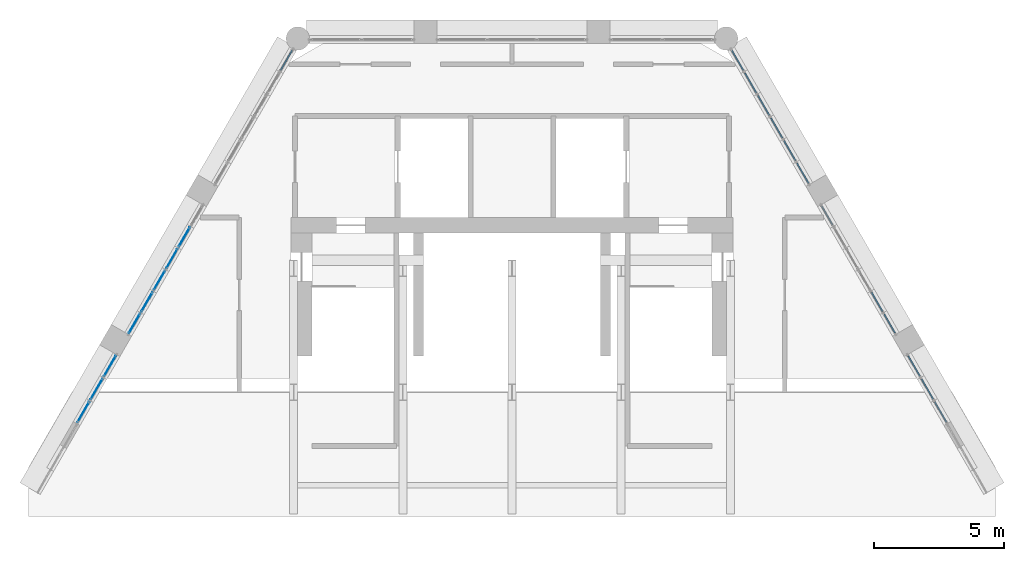
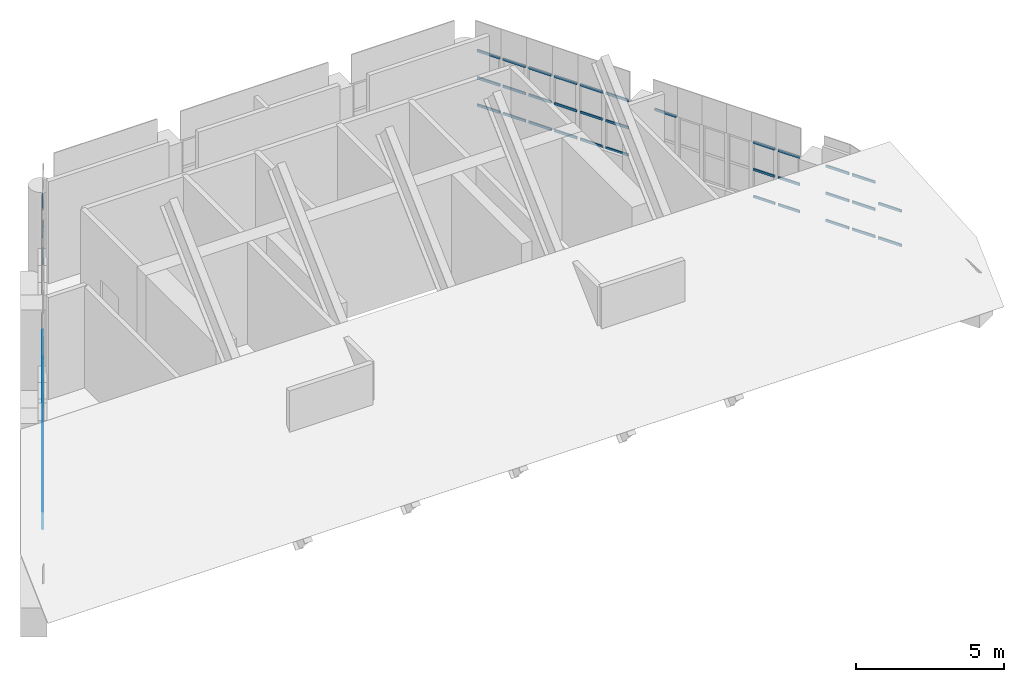
# One storey, part 12 of 16: 36 members, 15 plates, 21 elements without a shape of their own.
"""IFC4 building model written with IfcOpenShell, lengths in metres."""

from ifc_helpers import new_model, si_unit, direction, frame, origin, origin_2d, place, context, subcontext, project, spatial, rectangle, hollow_rectangle, extrude, material, layer, layer_set, material_profile, profile_set, type_object, element, aggregate, save


model = new_model("IFC4")

# Units and contexts
model_context = context("Model", 3, precision=1e-05, world=origin(), true_north=direction((0.0, 1.0)))
body_context = subcontext(model_context, "Body", "Model", "MODEL_VIEW")
ifc_project = project(units=[si_unit("LENGTHUNIT", "METRE"), si_unit("AREAUNIT", "SQUARE_METRE"), si_unit("VOLUMEUNIT", "CUBIC_METRE"), si_unit("PLANEANGLEUNIT", "RADIAN"), si_unit("MASSUNIT", "GRAM", prefix="KILO")], contexts=[model_context])

# Site, building, storey
site_placement = place(None, origin())
site = spatial("IfcSite", under=ifc_project, at=site_placement, CompositionType="ELEMENT")
building_placement = place(site_placement, origin())
building = spatial("IfcBuilding", under=site, at=building_placement, Name="Ostrander Bayou Hotel Tower", CompositionType="ELEMENT")
storey_placement = place(building_placement, frame((0.0, 0.0, 288.5)))
storey = spatial("IfcBuildingStorey", under=building, at=storey_placement, Name="L71", CompositionType="ELEMENT", Elevation=288.5)

# Curtain wall, members
ifc_material_1 = material(Name="Aluminium and clear glass", Category="aluminium")
curtain_wall_type = type_object("IfcCurtainWallType", Name="CW-CROWN glazed wall", PredefinedType="NOTDEFINED", material=ifc_material_1)
curtain_wall_1_placement = place(storey_placement, origin())
curtain_wall_1 = element("IfcCurtainWall", 1, at=curtain_wall_1_placement, inside=storey, type_object=curtain_wall_type, Name="CW-CROWN L71:NW-1-1", PredefinedType="NOTDEFINED")
ifc_material_2 = material(Name="Aluminium", Category="aluminium")
ifc_material_profile = material_profile(ifc_material_2, hollow_rectangle(XDim=0.050048828125, YDim=0.10009765625, WallThickness=0.00390625, at=origin_2d()))
ifc_profile_set = profile_set([ifc_material_profile], Name="Aluminium")
member_type = type_object("IfcMemberType", Name="CW-CR transom 50 x 100 mm", PredefinedType="USERDEFINED", material=ifc_profile_set)
member_1_placement = place(storey_placement, frame((-8.4619140625, 16.13037109375, 1.030029296875), z_axis=(-0.500033502416, -0.866006060292, 0.0), x_axis=(0.866006060292, -0.500033502416, 0.0)))
member_1 = element("IfcMember", 2, at=member_1_placement, type_object=member_type, Name="CW-CROWN transom 1.1", ObjectType="TRANSOM", PredefinedType="USERDEFINED", context=body_context, shape_type="SweptSolid", body=[
    extrude(hollow_rectangle(XDim=0.050048828125, YDim=0.10009765625, WallThickness=0.00390625, at=origin_2d()), origin(), (0.0, 0.0, 1.0), 0.88330078125),
])
member_2_placement = place(storey_placement, frame((-8.4619140625, 16.13037109375, 2.14990234375), z_axis=(-0.500033502416, -0.866006060292, 0.0), x_axis=(0.866006060292, -0.500033502416, 0.0)))
member_2 = element("IfcMember", 3, at=member_2_placement, type_object=member_type, Name="CW-CROWN transom 1.2", ObjectType="TRANSOM", PredefinedType="USERDEFINED", context=body_context, shape_type="SweptSolid", body=[
    extrude(hollow_rectangle(XDim=0.050048828125, YDim=0.10009765625, WallThickness=0.00390625, at=origin_2d()), origin(), (0.0, 0.0, 1.0), 0.88330078125),
])
member_3_placement = place(storey_placement, frame((-8.4619140625, 16.13037109375, 3.27001953125), z_axis=(-0.500033502416, -0.866006060292, 0.0), x_axis=(0.866006060292, -0.500033502416, 0.0)))
member_3 = element("IfcMember", 4, at=member_3_placement, type_object=member_type, Name="CW-CROWN transom 1.3", ObjectType="TRANSOM", PredefinedType="USERDEFINED", context=body_context, shape_type="SweptSolid", body=[
    extrude(hollow_rectangle(XDim=0.050048828125, YDim=0.10009765625, WallThickness=0.00390625, at=origin_2d()), origin(), (0.0, 0.0, 1.0), 0.88330078125),
])
aggregate(curtain_wall_1, [member_1, member_2, member_3])

curtain_wall_2_placement = place(storey_placement, origin())
curtain_wall_2 = element("IfcCurtainWall", 5, at=curtain_wall_2_placement, inside=storey, type_object=curtain_wall_type, Name="CW-CROWN L71:NE-1-4", PredefinedType="NOTDEFINED")
member_4_placement = place(storey_placement, frame((16.72314453125, 1.821533203125, 1.030029296875), z_axis=(-0.499925626596, 0.866068339032, 0.0), x_axis=(-0.866068339032, -0.499925626596, 0.0)))
member_4 = element("IfcMember", 6, at=member_4_placement, type_object=member_type, Name="CW-CROWN transom 1.1", ObjectType="TRANSOM", PredefinedType="USERDEFINED", context=body_context, shape_type="SweptSolid", body=[
    extrude(hollow_rectangle(XDim=0.050048828125, YDim=0.10009765625, WallThickness=0.00390625, at=origin_2d()), origin(), (0.0, 0.0, 1.0), 0.901611328125),
])
member_5_placement = place(storey_placement, frame((16.72314453125, 1.821533203125, 2.442138671875), z_axis=(-0.499925626596, 0.866068339032, 0.0), x_axis=(-0.866068339032, -0.499925626596, 0.0)))
member_5 = element("IfcMember", 7, at=member_5_placement, type_object=member_type, Name="CW-CROWN transom 1.2", ObjectType="TRANSOM", PredefinedType="USERDEFINED", context=body_context, shape_type="SweptSolid", body=[
    extrude(hollow_rectangle(XDim=0.050048828125, YDim=0.10009765625, WallThickness=0.00390625, at=origin_2d()), origin(), (0.0, 0.0, 1.0), 0.901611328125),
])
aggregate(curtain_wall_2, [member_4, member_5])

curtain_wall_3_placement = place(storey_placement, origin())
curtain_wall_3 = element("IfcCurtainWall", 8, at=curtain_wall_3_placement, inside=storey, type_object=curtain_wall_type, Name="CW-CROWN L71:NE-1-5", PredefinedType="NOTDEFINED")
member_6_placement = place(storey_placement, frame((16.21240234375, 2.706298828125, 1.030029296875), z_axis=(-0.499925626596, 0.866068339032, 0.0), x_axis=(-0.866068339032, -0.499925626596, 0.0)))
member_6 = element("IfcMember", 9, at=member_6_placement, type_object=member_type, Name="CW-CROWN transom 1.1", ObjectType="TRANSOM", PredefinedType="USERDEFINED", context=body_context, shape_type="SweptSolid", body=[
    extrude(hollow_rectangle(XDim=0.050048828125, YDim=0.10009765625, WallThickness=0.00390625, at=origin_2d()), origin(), (0.0, 0.0, 1.0), 0.901611328125),
])
member_7_placement = place(storey_placement, frame((16.21240234375, 2.706298828125, 2.14990234375), z_axis=(-0.499925626596, 0.866068339032, 0.0), x_axis=(-0.866068339032, -0.499925626596, 0.0)))
member_7 = element("IfcMember", 10, at=member_7_placement, type_object=member_type, Name="CW-CROWN transom 1.2", ObjectType="TRANSOM", PredefinedType="USERDEFINED", context=body_context, shape_type="SweptSolid", body=[
    extrude(hollow_rectangle(XDim=0.050048828125, YDim=0.10009765625, WallThickness=0.00390625, at=origin_2d()), origin(), (0.0, 0.0, 1.0), 0.901611328125),
])
member_8_placement = place(storey_placement, frame((16.21240234375, 2.706298828125, 3.27001953125), z_axis=(-0.499925626596, 0.866068339032, 0.0), x_axis=(-0.866068339032, -0.499925626596, 0.0)))
member_8 = element("IfcMember", 11, at=member_8_placement, type_object=member_type, Name="CW-CROWN transom 1.3", ObjectType="TRANSOM", PredefinedType="USERDEFINED", context=body_context, shape_type="SweptSolid", body=[
    extrude(hollow_rectangle(XDim=0.050048828125, YDim=0.10009765625, WallThickness=0.00390625, at=origin_2d()), origin(), (0.0, 0.0, 1.0), 0.901611328125),
])
aggregate(curtain_wall_3, [member_6, member_7, member_8])

curtain_wall_4_placement = place(storey_placement, origin())
curtain_wall_4 = element("IfcCurtainWall", 12, at=curtain_wall_4_placement, inside=storey, type_object=curtain_wall_type, Name="CW-CROWN L71:NE-1-6", PredefinedType="NOTDEFINED")
member_9_placement = place(storey_placement, frame((15.70166015625, 3.591064453125, 1.030029296875), z_axis=(-0.499925626596, 0.866068339032, 0.0), x_axis=(-0.866068339032, -0.499925626596, 0.0)))
member_9 = element("IfcMember", 13, at=member_9_placement, type_object=member_type, Name="CW-CROWN transom 1.1", ObjectType="TRANSOM", PredefinedType="USERDEFINED", context=body_context, shape_type="SweptSolid", body=[
    extrude(hollow_rectangle(XDim=0.050048828125, YDim=0.10009765625, WallThickness=0.00390625, at=origin_2d()), origin(), (0.0, 0.0, 1.0), 0.901611328125),
])
member_10_placement = place(storey_placement, frame((15.70166015625, 3.591064453125, 2.14990234375), z_axis=(-0.499925626596, 0.866068339032, 0.0), x_axis=(-0.866068339032, -0.499925626596, 0.0)))
member_10 = element("IfcMember", 14, at=member_10_placement, type_object=member_type, Name="CW-CROWN transom 1.2", ObjectType="TRANSOM", PredefinedType="USERDEFINED", context=body_context, shape_type="SweptSolid", body=[
    extrude(hollow_rectangle(XDim=0.050048828125, YDim=0.10009765625, WallThickness=0.00390625, at=origin_2d()), origin(), (0.0, 0.0, 1.0), 0.901611328125),
])
member_11_placement = place(storey_placement, frame((15.70166015625, 3.591064453125, 3.27001953125), z_axis=(-0.499925626596, 0.866068339032, 0.0), x_axis=(-0.866068339032, -0.499925626596, 0.0)))
member_11 = element("IfcMember", 15, at=member_11_placement, type_object=member_type, Name="CW-CROWN transom 1.3", ObjectType="TRANSOM", PredefinedType="USERDEFINED", context=body_context, shape_type="SweptSolid", body=[
    extrude(hollow_rectangle(XDim=0.050048828125, YDim=0.10009765625, WallThickness=0.00390625, at=origin_2d()), origin(), (0.0, 0.0, 1.0), 0.901611328125),
])
aggregate(curtain_wall_4, [member_9, member_10, member_11])

curtain_wall_5_placement = place(storey_placement, origin())
curtain_wall_5 = element("IfcCurtainWall", 16, at=curtain_wall_5_placement, inside=storey, type_object=curtain_wall_type, Name="CW-CROWN L71:NE-2-1", PredefinedType="NOTDEFINED")
member_12_placement = place(storey_placement, frame((14.740966796875, 5.255126953125, 1.030029296875), z_axis=(-0.500016035621, 0.866016145416, 0.0), x_axis=(-0.866016145416, -0.500016035621, 0.0)))
member_12 = element("IfcMember", 17, at=member_12_placement, type_object=member_type, Name="CW-CROWN transom 1.1", ObjectType="TRANSOM", PredefinedType="USERDEFINED", context=body_context, shape_type="SweptSolid", body=[
    extrude(hollow_rectangle(XDim=0.050048828125, YDim=0.10009765625, WallThickness=0.00390625, at=origin_2d()), origin(), (0.0, 0.0, 1.0), 0.83984375),
])
member_13_placement = place(storey_placement, frame((14.740966796875, 5.255126953125, 2.14990234375), z_axis=(-0.500016035621, 0.866016145416, 0.0), x_axis=(-0.866016145416, -0.500016035621, 0.0)))
member_13 = element("IfcMember", 18, at=member_13_placement, type_object=member_type, Name="CW-CROWN transom 1.2", ObjectType="TRANSOM", PredefinedType="USERDEFINED", context=body_context, shape_type="SweptSolid", body=[
    extrude(hollow_rectangle(XDim=0.050048828125, YDim=0.10009765625, WallThickness=0.00390625, at=origin_2d()), origin(), (0.0, 0.0, 1.0), 0.83984375),
])
member_14_placement = place(storey_placement, frame((14.740966796875, 5.255126953125, 3.27001953125), z_axis=(-0.500016035621, 0.866016145416, 0.0), x_axis=(-0.866016145416, -0.500016035621, 0.0)))
member_14 = element("IfcMember", 19, at=member_14_placement, type_object=member_type, Name="CW-CROWN transom 1.3", ObjectType="TRANSOM", PredefinedType="USERDEFINED", context=body_context, shape_type="SweptSolid", body=[
    extrude(hollow_rectangle(XDim=0.050048828125, YDim=0.10009765625, WallThickness=0.00390625, at=origin_2d()), origin(), (0.0, 0.0, 1.0), 0.83984375),
])
aggregate(curtain_wall_5, [member_12, member_13, member_14])

curtain_wall_6_placement = place(storey_placement, origin())
curtain_wall_6 = element("IfcCurtainWall", 20, at=curtain_wall_6_placement, inside=storey, type_object=curtain_wall_type, Name="CW-CROWN L71:NE-2-2", PredefinedType="NOTDEFINED")
member_15_placement = place(storey_placement, frame((14.260986328125, 6.086181640625, 1.030029296875), z_axis=(-0.500016035621, 0.866016145416, 0.0), x_axis=(-0.866016145416, -0.500016035621, 0.0)))
member_15 = element("IfcMember", 21, at=member_15_placement, type_object=member_type, Name="CW-CROWN transom 1.1", ObjectType="TRANSOM", PredefinedType="USERDEFINED", context=body_context, shape_type="SweptSolid", body=[
    extrude(hollow_rectangle(XDim=0.050048828125, YDim=0.10009765625, WallThickness=0.00390625, at=origin_2d()), origin(), (0.0, 0.0, 1.0), 0.83984375),
])
member_16_placement = place(storey_placement, frame((14.260986328125, 6.086181640625, 2.14990234375), z_axis=(-0.500016035621, 0.866016145416, 0.0), x_axis=(-0.866016145416, -0.500016035621, 0.0)))
member_16 = element("IfcMember", 22, at=member_16_placement, type_object=member_type, Name="CW-CROWN transom 1.2", ObjectType="TRANSOM", PredefinedType="USERDEFINED", context=body_context, shape_type="SweptSolid", body=[
    extrude(hollow_rectangle(XDim=0.050048828125, YDim=0.10009765625, WallThickness=0.00390625, at=origin_2d()), origin(), (0.0, 0.0, 1.0), 0.83984375),
])
member_17_placement = place(storey_placement, frame((14.260986328125, 6.086181640625, 3.27001953125), z_axis=(-0.500016035621, 0.866016145416, 0.0), x_axis=(-0.866016145416, -0.500016035621, 0.0)))
member_17 = element("IfcMember", 23, at=member_17_placement, type_object=member_type, Name="CW-CROWN transom 1.3", ObjectType="TRANSOM", PredefinedType="USERDEFINED", context=body_context, shape_type="SweptSolid", body=[
    extrude(hollow_rectangle(XDim=0.050048828125, YDim=0.10009765625, WallThickness=0.00390625, at=origin_2d()), origin(), (0.0, 0.0, 1.0), 0.83984375),
])
aggregate(curtain_wall_6, [member_15, member_16, member_17])

# Curtain wall, member
curtain_wall_7_placement = place(storey_placement, origin())
curtain_wall_7 = element("IfcCurtainWall", 24, at=curtain_wall_7_placement, inside=storey, type_object=curtain_wall_type, Name="CW-CROWN L71:NE-2-6", PredefinedType="NOTDEFINED")
member_18_placement = place(storey_placement, frame((12.34130859375, 9.4111328125, 3.27001953125), z_axis=(-0.500016035621, 0.866016145416, 0.0), x_axis=(-0.866016145416, -0.500016035621, 0.0)))
member_18 = element("IfcMember", 25, at=member_18_placement, type_object=member_type, Name="CW-CROWN transom 1.3", ObjectType="TRANSOM", PredefinedType="USERDEFINED", context=body_context, shape_type="SweptSolid", body=[
    extrude(hollow_rectangle(XDim=0.050048828125, YDim=0.10009765625, WallThickness=0.00390625, at=origin_2d()), origin(), (0.0, 0.0, 1.0), 0.83984375),
])
aggregate(curtain_wall_7, [member_18])

# Curtain wall, members
curtain_wall_8_placement = place(storey_placement, origin())
curtain_wall_8 = element("IfcCurtainWall", 26, at=curtain_wall_8_placement, inside=storey, type_object=curtain_wall_type, Name="CW-CROWN L71:NE-3-1", PredefinedType="NOTDEFINED")
member_19_placement = place(storey_placement, frame((11.41162109375, 11.021728515625, 1.030029296875), z_axis=(-0.500033502416, 0.866006060292, 0.0), x_axis=(-0.866006060292, -0.500033502416, 0.0)))
member_19 = element("IfcMember", 27, at=member_19_placement, type_object=member_type, Name="CW-CROWN transom 1.1", ObjectType="TRANSOM", PredefinedType="USERDEFINED", context=body_context, shape_type="SweptSolid", body=[
    extrude(hollow_rectangle(XDim=0.050048828125, YDim=0.10009765625, WallThickness=0.00390625, at=origin_2d()), origin(), (0.0, 0.0, 1.0), 0.88330078125),
])
member_20_placement = place(storey_placement, frame((11.41162109375, 11.021728515625, 2.14990234375), z_axis=(-0.500033502416, 0.866006060292, 0.0), x_axis=(-0.866006060292, -0.500033502416, 0.0)))
member_20 = element("IfcMember", 28, at=member_20_placement, type_object=member_type, Name="CW-CROWN transom 1.2", ObjectType="TRANSOM", PredefinedType="USERDEFINED", context=body_context, shape_type="SweptSolid", body=[
    extrude(hollow_rectangle(XDim=0.050048828125, YDim=0.10009765625, WallThickness=0.00390625, at=origin_2d()), origin(), (0.0, 0.0, 1.0), 0.88330078125),
])
member_21_placement = place(storey_placement, frame((11.41162109375, 11.021728515625, 3.27001953125), z_axis=(-0.500033502416, 0.866006060292, 0.0), x_axis=(-0.866006060292, -0.500033502416, 0.0)))
member_21 = element("IfcMember", 29, at=member_21_placement, type_object=member_type, Name="CW-CROWN transom 1.3", ObjectType="TRANSOM", PredefinedType="USERDEFINED", context=body_context, shape_type="SweptSolid", body=[
    extrude(hollow_rectangle(XDim=0.050048828125, YDim=0.10009765625, WallThickness=0.00390625, at=origin_2d()), origin(), (0.0, 0.0, 1.0), 0.88330078125),
])
aggregate(curtain_wall_8, [member_19, member_20, member_21])

curtain_wall_9_placement = place(storey_placement, origin())
curtain_wall_9 = element("IfcCurtainWall", 30, at=curtain_wall_9_placement, inside=storey, type_object=curtain_wall_type, Name="CW-CROWN L71:NE-3-2", PredefinedType="NOTDEFINED")
member_22_placement = place(storey_placement, frame((10.909912109375, 11.890625, 1.030029296875), z_axis=(-0.500153222552, 0.865936922628, 0.0), x_axis=(-0.865936922628, -0.500153222552, 0.0)))
member_22 = element("IfcMember", 31, at=member_22_placement, type_object=member_type, Name="CW-CROWN transom 1.1", ObjectType="TRANSOM", PredefinedType="USERDEFINED", context=body_context, shape_type="SweptSolid", body=[
    extrude(hollow_rectangle(XDim=0.050048828125, YDim=0.10009765625, WallThickness=0.00390625, at=origin_2d()), origin(), (0.0, 0.0, 1.0), 0.883056640625),
])
member_23_placement = place(storey_placement, frame((10.909912109375, 11.890625, 2.14990234375), z_axis=(-0.500153222552, 0.865936922628, 0.0), x_axis=(-0.865936922628, -0.500153222552, 0.0)))
member_23 = element("IfcMember", 32, at=member_23_placement, type_object=member_type, Name="CW-CROWN transom 1.2", ObjectType="TRANSOM", PredefinedType="USERDEFINED", context=body_context, shape_type="SweptSolid", body=[
    extrude(hollow_rectangle(XDim=0.050048828125, YDim=0.10009765625, WallThickness=0.00390625, at=origin_2d()), origin(), (0.0, 0.0, 1.0), 0.883056640625),
])
member_24_placement = place(storey_placement, frame((10.909912109375, 11.890625, 3.27001953125), z_axis=(-0.500153222552, 0.865936922628, 0.0), x_axis=(-0.865936922628, -0.500153222552, 0.0)))
member_24 = element("IfcMember", 33, at=member_24_placement, type_object=member_type, Name="CW-CROWN transom 1.3", ObjectType="TRANSOM", PredefinedType="USERDEFINED", context=body_context, shape_type="SweptSolid", body=[
    extrude(hollow_rectangle(XDim=0.050048828125, YDim=0.10009765625, WallThickness=0.00390625, at=origin_2d()), origin(), (0.0, 0.0, 1.0), 0.883056640625),
])
aggregate(curtain_wall_9, [member_22, member_23, member_24])

curtain_wall_10_placement = place(storey_placement, origin())
curtain_wall_10 = element("IfcCurtainWall", 34, at=curtain_wall_10_placement, inside=storey, type_object=curtain_wall_type, Name="CW-CROWN L71:NE-3-3", PredefinedType="NOTDEFINED")
member_25_placement = place(storey_placement, frame((10.408203125, 12.75927734375, 1.030029296875), z_axis=(-0.499826157957, 0.866125748273, 0.0), x_axis=(-0.866125748273, -0.499826157957, 0.0)))
member_25 = element("IfcMember", 35, at=member_25_placement, type_object=member_type, Name="CW-CROWN transom 1.1", ObjectType="TRANSOM", PredefinedType="USERDEFINED", context=body_context, shape_type="SweptSolid", body=[
    extrude(hollow_rectangle(XDim=0.050048828125, YDim=0.10009765625, WallThickness=0.00390625, at=origin_2d()), origin(), (0.0, 0.0, 1.0), 0.883056640625),
])
member_26_placement = place(storey_placement, frame((10.408203125, 12.75927734375, 2.14990234375), z_axis=(-0.499826157957, 0.866125748273, 0.0), x_axis=(-0.866125748273, -0.499826157957, 0.0)))
member_26 = element("IfcMember", 36, at=member_26_placement, type_object=member_type, Name="CW-CROWN transom 1.2", ObjectType="TRANSOM", PredefinedType="USERDEFINED", context=body_context, shape_type="SweptSolid", body=[
    extrude(hollow_rectangle(XDim=0.050048828125, YDim=0.10009765625, WallThickness=0.00390625, at=origin_2d()), origin(), (0.0, 0.0, 1.0), 0.883056640625),
])
member_27_placement = place(storey_placement, frame((10.408203125, 12.75927734375, 3.27001953125), z_axis=(-0.499826157957, 0.866125748273, 0.0), x_axis=(-0.866125748273, -0.499826157957, 0.0)))
member_27 = element("IfcMember", 37, at=member_27_placement, type_object=member_type, Name="CW-CROWN transom 1.3", ObjectType="TRANSOM", PredefinedType="USERDEFINED", context=body_context, shape_type="SweptSolid", body=[
    extrude(hollow_rectangle(XDim=0.050048828125, YDim=0.10009765625, WallThickness=0.00390625, at=origin_2d()), origin(), (0.0, 0.0, 1.0), 0.883056640625),
])
aggregate(curtain_wall_10, [member_25, member_26, member_27])

curtain_wall_11_placement = place(storey_placement, origin())
curtain_wall_11 = element("IfcCurtainWall", 38, at=curtain_wall_11_placement, inside=storey, type_object=curtain_wall_type, Name="CW-CROWN L71:NE-3-4", PredefinedType="NOTDEFINED")
member_28_placement = place(storey_placement, frame((9.90673828125, 13.628173828125, 1.030029296875), z_axis=(-0.500153222552, 0.865936922628, 0.0), x_axis=(-0.865936922628, -0.500153222552, 0.0)))
member_28 = element("IfcMember", 39, at=member_28_placement, type_object=member_type, Name="CW-CROWN transom 1.1", ObjectType="TRANSOM", PredefinedType="USERDEFINED", context=body_context, shape_type="SweptSolid", body=[
    extrude(hollow_rectangle(XDim=0.050048828125, YDim=0.10009765625, WallThickness=0.00390625, at=origin_2d()), origin(), (0.0, 0.0, 1.0), 0.883056640625),
])
member_29_placement = place(storey_placement, frame((9.90673828125, 13.628173828125, 2.14990234375), z_axis=(-0.500153222552, 0.865936922628, 0.0), x_axis=(-0.865936922628, -0.500153222552, 0.0)))
member_29 = element("IfcMember", 40, at=member_29_placement, type_object=member_type, Name="CW-CROWN transom 1.2", ObjectType="TRANSOM", PredefinedType="USERDEFINED", context=body_context, shape_type="SweptSolid", body=[
    extrude(hollow_rectangle(XDim=0.050048828125, YDim=0.10009765625, WallThickness=0.00390625, at=origin_2d()), origin(), (0.0, 0.0, 1.0), 0.883056640625),
])
member_30_placement = place(storey_placement, frame((9.90673828125, 13.628173828125, 3.27001953125), z_axis=(-0.500153222552, 0.865936922628, 0.0), x_axis=(-0.865936922628, -0.500153222552, 0.0)))
member_30 = element("IfcMember", 41, at=member_30_placement, type_object=member_type, Name="CW-CROWN transom 1.3", ObjectType="TRANSOM", PredefinedType="USERDEFINED", context=body_context, shape_type="SweptSolid", body=[
    extrude(hollow_rectangle(XDim=0.050048828125, YDim=0.10009765625, WallThickness=0.00390625, at=origin_2d()), origin(), (0.0, 0.0, 1.0), 0.883056640625),
])
aggregate(curtain_wall_11, [member_28, member_29, member_30])

curtain_wall_12_placement = place(storey_placement, origin())
curtain_wall_12 = element("IfcCurtainWall", 42, at=curtain_wall_12_placement, inside=storey, type_object=curtain_wall_type, Name="CW-CROWN L71:NE-3-5", PredefinedType="NOTDEFINED")
member_31_placement = place(storey_placement, frame((9.4052734375, 14.496826171875, 1.030029296875), z_axis=(-0.500033502416, 0.866006060292, 0.0), x_axis=(-0.866006060292, -0.500033502416, 0.0)))
member_31 = element("IfcMember", 43, at=member_31_placement, type_object=member_type, Name="CW-CROWN transom 1.1", ObjectType="TRANSOM", PredefinedType="USERDEFINED", context=body_context, shape_type="SweptSolid", body=[
    extrude(hollow_rectangle(XDim=0.050048828125, YDim=0.10009765625, WallThickness=0.00390625, at=origin_2d()), origin(), (0.0, 0.0, 1.0), 0.88330078125),
])
member_32_placement = place(storey_placement, frame((9.4052734375, 14.496826171875, 2.14990234375), z_axis=(-0.500033502416, 0.866006060292, 0.0), x_axis=(-0.866006060292, -0.500033502416, 0.0)))
member_32 = element("IfcMember", 44, at=member_32_placement, type_object=member_type, Name="CW-CROWN transom 1.2", ObjectType="TRANSOM", PredefinedType="USERDEFINED", context=body_context, shape_type="SweptSolid", body=[
    extrude(hollow_rectangle(XDim=0.050048828125, YDim=0.10009765625, WallThickness=0.00390625, at=origin_2d()), origin(), (0.0, 0.0, 1.0), 0.88330078125),
])
member_33_placement = place(storey_placement, frame((9.4052734375, 14.496826171875, 3.27001953125), z_axis=(-0.500033502416, 0.866006060292, 0.0), x_axis=(-0.866006060292, -0.500033502416, 0.0)))
member_33 = element("IfcMember", 45, at=member_33_placement, type_object=member_type, Name="CW-CROWN transom 1.3", ObjectType="TRANSOM", PredefinedType="USERDEFINED", context=body_context, shape_type="SweptSolid", body=[
    extrude(hollow_rectangle(XDim=0.050048828125, YDim=0.10009765625, WallThickness=0.00390625, at=origin_2d()), origin(), (0.0, 0.0, 1.0), 0.88330078125),
])
aggregate(curtain_wall_12, [member_31, member_32, member_33])

curtain_wall_13_placement = place(storey_placement, origin())
curtain_wall_13 = element("IfcCurtainWall", 46, at=curtain_wall_13_placement, inside=storey, type_object=curtain_wall_type, Name="CW-CROWN L71:NE-3-6", PredefinedType="NOTDEFINED")
member_34_placement = place(storey_placement, frame((8.903564453125, 15.365478515625, 1.030029296875), z_axis=(-0.500033502416, 0.866006060292, 0.0), x_axis=(-0.866006060292, -0.500033502416, 0.0)))
member_34 = element("IfcMember", 47, at=member_34_placement, type_object=member_type, Name="CW-CROWN transom 1.1", ObjectType="TRANSOM", PredefinedType="USERDEFINED", context=body_context, shape_type="SweptSolid", body=[
    extrude(hollow_rectangle(XDim=0.050048828125, YDim=0.10009765625, WallThickness=0.00390625, at=origin_2d()), origin(), (0.0, 0.0, 1.0), 0.88330078125),
])
member_35_placement = place(storey_placement, frame((8.903564453125, 15.365478515625, 2.14990234375), z_axis=(-0.500033502416, 0.866006060292, 0.0), x_axis=(-0.866006060292, -0.500033502416, 0.0)))
member_35 = element("IfcMember", 48, at=member_35_placement, type_object=member_type, Name="CW-CROWN transom 1.2", ObjectType="TRANSOM", PredefinedType="USERDEFINED", context=body_context, shape_type="SweptSolid", body=[
    extrude(hollow_rectangle(XDim=0.050048828125, YDim=0.10009765625, WallThickness=0.00390625, at=origin_2d()), origin(), (0.0, 0.0, 1.0), 0.88330078125),
])
member_36_placement = place(storey_placement, frame((8.903564453125, 15.365478515625, 3.27001953125), z_axis=(-0.500033502416, 0.866006060292, 0.0), x_axis=(-0.866006060292, -0.500033502416, 0.0)))
member_36 = element("IfcMember", 49, at=member_36_placement, type_object=member_type, Name="CW-CROWN transom 1.3", ObjectType="TRANSOM", PredefinedType="USERDEFINED", context=body_context, shape_type="SweptSolid", body=[
    extrude(hollow_rectangle(XDim=0.050048828125, YDim=0.10009765625, WallThickness=0.00390625, at=origin_2d()), origin(), (0.0, 0.0, 1.0), 0.88330078125),
])
aggregate(curtain_wall_13, [member_34, member_35, member_36])

# Curtain wall, plates
curtain_wall_14_placement = place(storey_placement, origin())
curtain_wall_14 = element("IfcCurtainWall", 50, at=curtain_wall_14_placement, inside=storey, type_object=curtain_wall_type, Name="CW-CROWN L71:NW-2-2", PredefinedType="NOTDEFINED")
ifc_material_3 = material(Name="Clear laminated glass", Category="glass")
ifc_layer = layer(ifc_material_3, 0.028076171875)
ifc_layer_set = layer_set([ifc_layer], Name="CW-CR glazing panel 28 mm")
plate_type = type_object("IfcPlateType", Name="CW-CR glazing panel 28 mm", PredefinedType="CURTAIN_PANEL", material=ifc_layer_set)
plate_1_placement = place(storey_placement, frame((-12.611328125, 8.943603515625, 1.06005859375), z_axis=(0.0, 0.0, 1.0), x_axis=(-0.500005045044, -0.866022491007, 0.0)))
plate_1 = element("IfcPlate", 51, at=plate_1_placement, type_object=plate_type, Name="CW-CROWN panel 1.1", PredefinedType="CURTAIN_PANEL", context=body_context, shape_type="SweptSolid", body=[
    extrude(rectangle(XDim=0.83984375, YDim=0.028076171875, at=origin_2d()), origin(), (0.0, 0.0, 1.0), 1.06005859375),
])
plate_2_placement = place(storey_placement, frame((-12.611328125, 8.943603515625, 2.179931640625), z_axis=(0.0, 0.0, 1.0), x_axis=(-0.500005045044, -0.866022491007, 0.0)))
plate_2 = element("IfcPlate", 52, at=plate_2_placement, type_object=plate_type, Name="CW-CROWN panel 1.2", PredefinedType="CURTAIN_PANEL", context=body_context, shape_type="SweptSolid", body=[
    extrude(rectangle(XDim=0.83984375, YDim=0.028076171875, at=origin_2d()), origin(), (0.0, 0.0, 1.0), 1.06005859375),
])
aggregate(curtain_wall_14, [plate_1, plate_2])

curtain_wall_15_placement = place(storey_placement, origin())
curtain_wall_15 = element("IfcCurtainWall", 53, at=curtain_wall_15_placement, inside=storey, type_object=curtain_wall_type, Name="CW-CROWN L71:NW-2-3", PredefinedType="NOTDEFINED")
plate_3_placement = place(storey_placement, frame((-13.09130859375, 8.1123046875, 1.06005859375), z_axis=(0.0, 0.0, 1.0), x_axis=(-0.500005045044, -0.866022491007, 0.0)))
plate_3 = element("IfcPlate", 54, at=plate_3_placement, type_object=plate_type, Name="CW-CROWN panel 1.1", PredefinedType="CURTAIN_PANEL", context=body_context, shape_type="SweptSolid", body=[
    extrude(rectangle(XDim=0.83984375, YDim=0.028076171875, at=origin_2d()), origin(), (0.0, 0.0, 1.0), 1.06005859375),
])
plate_4_placement = place(storey_placement, frame((-13.09130859375, 8.1123046875, 2.179931640625), z_axis=(0.0, 0.0, 1.0), x_axis=(-0.500005045044, -0.866022491007, 0.0)))
plate_4 = element("IfcPlate", 55, at=plate_4_placement, type_object=plate_type, Name="CW-CROWN panel 1.2", PredefinedType="CURTAIN_PANEL", context=body_context, shape_type="SweptSolid", body=[
    extrude(rectangle(XDim=0.83984375, YDim=0.028076171875, at=origin_2d()), origin(), (0.0, 0.0, 1.0), 1.06005859375),
])
aggregate(curtain_wall_15, [plate_3, plate_4])

curtain_wall_16_placement = place(storey_placement, origin())
curtain_wall_16 = element("IfcCurtainWall", 56, at=curtain_wall_16_placement, inside=storey, type_object=curtain_wall_type, Name="CW-CROWN L71:NW-2-4", PredefinedType="NOTDEFINED")
plate_5_placement = place(storey_placement, frame((-13.571044921875, 7.28125, 1.06005859375), z_axis=(0.0, 0.0, 1.0), x_axis=(-0.499959932788, -0.866048535364, 0.0)))
plate_5 = element("IfcPlate", 57, at=plate_5_placement, type_object=plate_type, Name="CW-CROWN panel 1.1", PredefinedType="CURTAIN_PANEL", context=body_context, shape_type="SweptSolid", body=[
    extrude(rectangle(XDim=0.83984375, YDim=0.028076171875, at=origin_2d()), origin(), (0.0, 0.0, 1.0), 1.06005859375),
])
plate_6_placement = place(storey_placement, frame((-13.571044921875, 7.28125, 2.179931640625), z_axis=(0.0, 0.0, 1.0), x_axis=(-0.499959932788, -0.866048535364, 0.0)))
plate_6 = element("IfcPlate", 58, at=plate_6_placement, type_object=plate_type, Name="CW-CROWN panel 1.2", PredefinedType="CURTAIN_PANEL", context=body_context, shape_type="SweptSolid", body=[
    extrude(rectangle(XDim=0.83984375, YDim=0.028076171875, at=origin_2d()), origin(), (0.0, 0.0, 1.0), 1.06005859375),
])
aggregate(curtain_wall_16, [plate_5, plate_6])

curtain_wall_17_placement = place(storey_placement, origin())
curtain_wall_17 = element("IfcCurtainWall", 59, at=curtain_wall_17_placement, inside=storey, type_object=curtain_wall_type, Name="CW-CROWN L71:NW-2-5", PredefinedType="NOTDEFINED")
plate_7_placement = place(storey_placement, frame((-14.051025390625, 6.449951171875, 1.06005859375), z_axis=(0.0, 0.0, 1.0), x_axis=(-0.500005045044, -0.866022491007, 0.0)))
plate_7 = element("IfcPlate", 60, at=plate_7_placement, type_object=plate_type, Name="CW-CROWN panel 1.1", PredefinedType="CURTAIN_PANEL", context=body_context, shape_type="SweptSolid", body=[
    extrude(rectangle(XDim=0.83984375, YDim=0.028076171875, at=origin_2d()), origin(), (0.0, 0.0, 1.0), 1.06005859375),
])
plate_8_placement = place(storey_placement, frame((-14.051025390625, 6.449951171875, 2.179931640625), z_axis=(0.0, 0.0, 1.0), x_axis=(-0.500005045044, -0.866022491007, 0.0)))
plate_8 = element("IfcPlate", 61, at=plate_8_placement, type_object=plate_type, Name="CW-CROWN panel 1.2", PredefinedType="CURTAIN_PANEL", context=body_context, shape_type="SweptSolid", body=[
    extrude(rectangle(XDim=0.83984375, YDim=0.028076171875, at=origin_2d()), origin(), (0.0, 0.0, 1.0), 1.06005859375),
])
aggregate(curtain_wall_17, [plate_7, plate_8])

curtain_wall_18_placement = place(storey_placement, origin())
curtain_wall_18 = element("IfcCurtainWall", 62, at=curtain_wall_18_placement, inside=storey, type_object=curtain_wall_type, Name="CW-CROWN L71:NW-2-6", PredefinedType="NOTDEFINED")
plate_9_placement = place(storey_placement, frame((-14.531005859375, 5.61865234375, 1.06005859375), z_axis=(0.0, 0.0, 1.0), x_axis=(-0.500005045044, -0.866022491007, 0.0)))
plate_9 = element("IfcPlate", 63, at=plate_9_placement, type_object=plate_type, Name="CW-CROWN panel 1.1", PredefinedType="CURTAIN_PANEL", context=body_context, shape_type="SweptSolid", body=[
    extrude(rectangle(XDim=0.83984375, YDim=0.028076171875, at=origin_2d()), origin(), (0.0, 0.0, 1.0), 1.06005859375),
])
plate_10_placement = place(storey_placement, frame((-14.531005859375, 5.61865234375, 2.179931640625), z_axis=(0.0, 0.0, 1.0), x_axis=(-0.500005045044, -0.866022491007, 0.0)))
plate_10 = element("IfcPlate", 64, at=plate_10_placement, type_object=plate_type, Name="CW-CROWN panel 1.2", PredefinedType="CURTAIN_PANEL", context=body_context, shape_type="SweptSolid", body=[
    extrude(rectangle(XDim=0.83984375, YDim=0.028076171875, at=origin_2d()), origin(), (0.0, 0.0, 1.0), 1.06005859375),
])
aggregate(curtain_wall_18, [plate_9, plate_10])

curtain_wall_19_placement = place(storey_placement, origin())
curtain_wall_19 = element("IfcCurtainWall", 65, at=curtain_wall_19_placement, inside=storey, type_object=curtain_wall_type, Name="CW-CROWN L71:NW-3-1", PredefinedType="NOTDEFINED")
plate_11_placement = place(storey_placement, frame((-15.476318359375, 3.9814453125, 1.06005859375), z_axis=(0.0, 0.0, 1.0), x_axis=(-0.500013374066, -0.866017682126, 0.0)))
plate_11 = element("IfcPlate", 66, at=plate_11_placement, type_object=plate_type, Name="CW-CROWN panel 1.1", PredefinedType="CURTAIN_PANEL", context=body_context, shape_type="SweptSolid", body=[
    extrude(rectangle(XDim=0.901611328125, YDim=0.028076171875, at=origin_2d()), origin(), (0.0, 0.0, 1.0), 1.06005859375),
])
plate_12_placement = place(storey_placement, frame((-15.476318359375, 3.9814453125, 2.179931640625), z_axis=(0.0, 0.0, 1.0), x_axis=(-0.500013374066, -0.866017682126, 0.0)))
plate_12 = element("IfcPlate", 67, at=plate_12_placement, type_object=plate_type, Name="CW-CROWN panel 1.2", PredefinedType="CURTAIN_PANEL", context=body_context, shape_type="SweptSolid", body=[
    extrude(rectangle(XDim=0.901611328125, YDim=0.028076171875, at=origin_2d()), origin(), (0.0, 0.0, 1.0), 1.06005859375),
])
aggregate(curtain_wall_19, [plate_11, plate_12])

curtain_wall_20_placement = place(storey_placement, origin())
curtain_wall_20 = element("IfcCurtainWall", 68, at=curtain_wall_20_placement, inside=storey, type_object=curtain_wall_type, Name="CW-CROWN L71:NW-3-2", PredefinedType="NOTDEFINED")
plate_13_placement = place(storey_placement, frame((-15.987060546875, 3.0966796875, 1.06005859375), z_axis=(0.0, 0.0, 1.0), x_axis=(-0.500013374066, -0.866017682126, 0.0)))
plate_13 = element("IfcPlate", 69, at=plate_13_placement, type_object=plate_type, Name="CW-CROWN panel 1.1", PredefinedType="CURTAIN_PANEL", context=body_context, shape_type="SweptSolid", body=[
    extrude(rectangle(XDim=0.901611328125, YDim=0.028076171875, at=origin_2d()), origin(), (0.0, 0.0, 1.0), 1.06005859375),
])
plate_14_placement = place(storey_placement, frame((-15.987060546875, 3.0966796875, 2.179931640625), z_axis=(0.0, 0.0, 1.0), x_axis=(-0.500013374066, -0.866017682126, 0.0)))
plate_14 = element("IfcPlate", 70, at=plate_14_placement, type_object=plate_type, Name="CW-CROWN panel 1.2", PredefinedType="CURTAIN_PANEL", context=body_context, shape_type="SweptSolid", body=[
    extrude(rectangle(XDim=0.901611328125, YDim=0.028076171875, at=origin_2d()), origin(), (0.0, 0.0, 1.0), 1.06005859375),
])
aggregate(curtain_wall_20, [plate_13, plate_14])

# Curtain wall, plate
curtain_wall_21_placement = place(storey_placement, origin())
curtain_wall_21 = element("IfcCurtainWall", 71, at=curtain_wall_21_placement, inside=storey, type_object=curtain_wall_type, Name="CW-CROWN L71:NW-3-3", PredefinedType="NOTDEFINED")
plate_15_placement = place(storey_placement, frame((-16.497802734375, 2.2119140625, 1.06005859375), z_axis=(0.0, 0.0, 1.0), x_axis=(-0.499939953771, -0.866060068715, 0.0)))
plate_15 = element("IfcPlate", 72, at=plate_15_placement, type_object=plate_type, Name="CW-CROWN panel 1.1", PredefinedType="CURTAIN_PANEL", context=body_context, shape_type="SweptSolid", body=[
    extrude(rectangle(XDim=0.901611328125, YDim=0.028076171875, at=origin_2d()), origin(), (0.0, 0.0, 1.0), 1.35205078125),
])
aggregate(curtain_wall_21, [plate_15])

save(model, "model.ifc")
